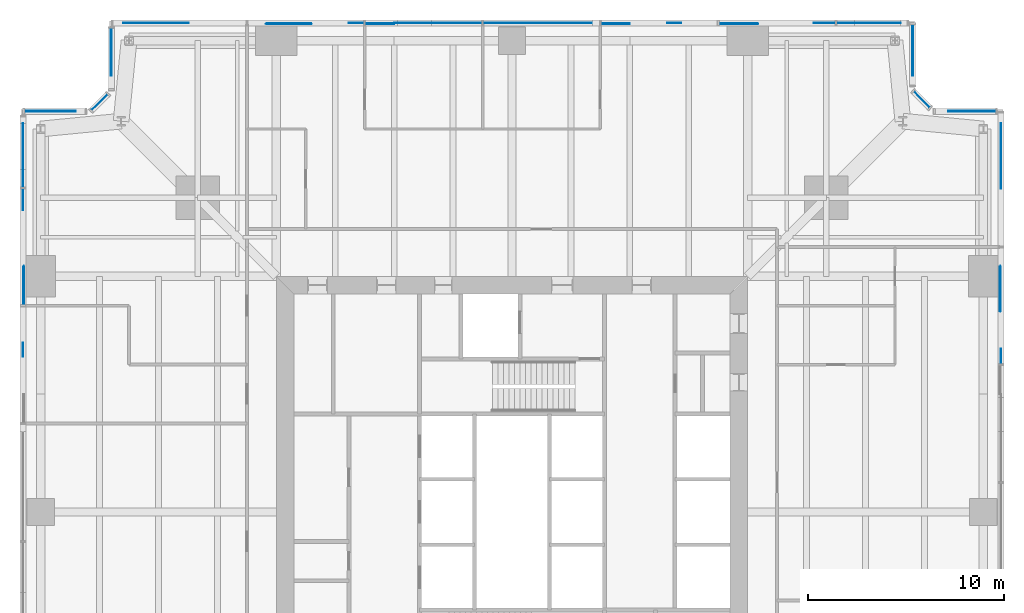
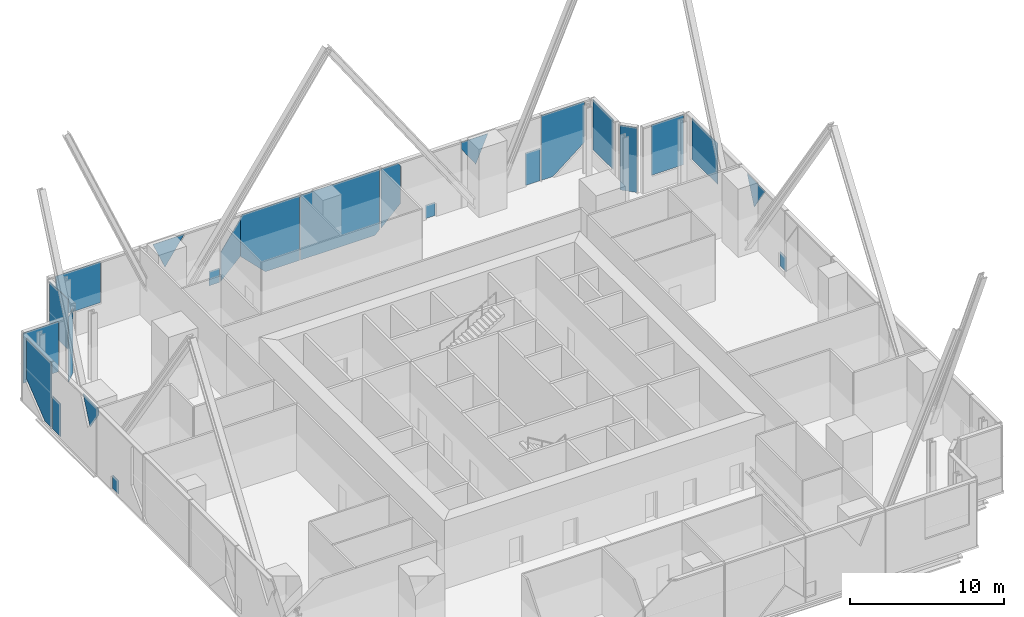
# One storey, part 8 of 13: 24 plates, 9 elements without a shape of their own.
"""IFC4 building model written with IfcOpenShell, lengths in metres."""

from ifc_helpers import new_model, si_unit, direction, frame, origin, origin_2d, place, context, subcontext, project, spatial, polyline, rectangle, outline, extrude, material, layer, layer_set, type_object, element, aggregate, save


model = new_model("IFC4")

# Units and contexts
model_context = context("Model", 3, precision=1e-05, world=origin(), true_north=direction((0.0, 1.0)))
body_context = subcontext(model_context, "Body", "Model", "MODEL_VIEW")
ifc_project = project(units=[si_unit("LENGTHUNIT", "METRE"), si_unit("AREAUNIT", "SQUARE_METRE"), si_unit("VOLUMEUNIT", "CUBIC_METRE"), si_unit("PLANEANGLEUNIT", "RADIAN"), si_unit("MASSUNIT", "GRAM", prefix="KILO")], contexts=[model_context])

# Site, building, storey
site_placement = place(None, origin())
site = spatial("IfcSite", under=ifc_project, at=site_placement, CompositionType="ELEMENT")
building_placement = place(site_placement, origin())
building = spatial("IfcBuilding", under=site, at=building_placement, Name="Fenwick Lantern Interchange", CompositionType="ELEMENT")
storey_placement = place(building_placement, frame((0.0, 0.0, 97.0)))
storey = spatial("IfcBuildingStorey", under=building, at=storey_placement, Name="L22", CompositionType="ELEMENT", Elevation=97.0)

# Curtain wall, plates
ifc_material_1 = material(Name="Aluminium curtain wall frame", Category="aluminium")
curtain_wall_type = type_object("IfcCurtainWallType", Name="SKY LOBBY GLAZING", PredefinedType="USERDEFINED", material=ifc_material_1)
curtain_wall_1_placement = place(storey_placement, origin())
curtain_wall_1 = element("IfcCurtainWall", 1, at=curtain_wall_1_placement, inside=storey, type_object=curtain_wall_type, Name="Sky lobby glazing 05", ObjectType="SKY LOBBY GLAZING", PredefinedType="USERDEFINED")
ifc_material_2 = material(Name="Vision glass, clear laminated double glazed", Category="glass")
ifc_layer = layer(ifc_material_2, 0.035888671875)
ifc_layer_set = layer_set([ifc_layer], Name="SKY LOBBY GLAZING PANEL 36")
plate_type = type_object("IfcPlateType", Name="SKY LOBBY GLAZING PANEL 36", PredefinedType="CURTAIN_PANEL", material=ifc_layer_set)
plate_1_placement = place(storey_placement, frame((49.89990234375, 4.60009765625, 0.35546875), z_axis=(0.0, 0.0, 1.0), x_axis=(0.0, 1.0, 0.0)))
plate_1 = element("IfcPlate", 2, at=plate_1_placement, type_object=plate_type, Name="L22/CW/05/P05a", PredefinedType="CURTAIN_PANEL", context=body_context, shape_type="SweptSolid", body=[
    extrude(outline(polyline([(27.93994140625, 0.0), (28.715087890625, 0.0), (28.715087890625, 1.136962890625), (27.93994140625, 1.136962890625), (27.93994140625, 0.0)])), frame((0.0, 0.01806640625, 0.0), z_axis=(0.0, -1.0, 0.0), x_axis=(1.0, 0.0, 0.0)), (0.0, 0.0, 1.0), 0.035888671875),
])
plate_2_placement = place(storey_placement, frame((49.89990234375, 4.60009765625, 3.017822265625), z_axis=(0.0, 0.0, 1.0), x_axis=(0.0, 1.0, 0.0)))
plate_2 = element("IfcPlate", 3, at=plate_2_placement, type_object=plate_type, Name="L22/CW/05/P05b", PredefinedType="CURTAIN_PANEL", context=body_context, shape_type="SweptSolid", body=[
    extrude(outline(polyline([(32.034423828125, 0.0), (32.940185546875, 2.112060546875), (30.585205078125, 2.112060546875), (32.034423828125, 0.0)])), frame((0.0, 0.05615234375, 0.0), z_axis=(0.0, -1.0, 0.0), x_axis=(1.0, 0.0, 0.0)), (0.0, 0.0, 1.0), 0.035888671875),
])
plate_3_placement = place(storey_placement, frame((49.89990234375, 4.60009765625, 1.880126953125), z_axis=(0.0, 0.0, 1.0), x_axis=(0.0, 1.0, 0.0)))
plate_3 = element("IfcPlate", 4, at=plate_3_placement, type_object=plate_type, Name="L22/CW/05/P06a", PredefinedType="CURTAIN_PANEL", context=body_context, shape_type="SweptSolid", body=[
    extrude(outline(polyline([(36.857421875, 0.0), (40.18115234375, 0.0), (40.18115234375, 3.249755859375), (36.857421875, 3.249755859375), (36.857421875, 0.0)])), frame((0.0, 0.01806640625, 0.0), z_axis=(0.0, -1.0, 0.0), x_axis=(1.0, 0.0, 0.0)), (0.0, 0.0, 1.0), 0.035888671875),
])
aggregate(curtain_wall_1, [plate_1, plate_2, plate_3])

# Curtain wall, plate
curtain_wall_2_placement = place(storey_placement, origin())
curtain_wall_2 = element("IfcCurtainWall", 5, at=curtain_wall_2_placement, inside=storey, type_object=curtain_wall_type, Name="Sky lobby glazing 06", ObjectType="SKY LOBBY GLAZING", PredefinedType="USERDEFINED")
plate_4_placement = place(storey_placement, frame((49.89990234375, 45.39990234375, 1.14990234375), z_axis=(0.0, 0.0, 1.0), x_axis=(-1.0, 0.0, 0.0)))
plate_4 = element("IfcPlate", 6, at=plate_4_placement, type_object=plate_type, Name="L22/CW/06/P00a", PredefinedType="CURTAIN_PANEL", context=body_context, shape_type="SweptSolid", body=[
    extrude(outline(polyline([(0.280029296875, 0.0), (2.699951171875, 0.0), (2.699951171875, 3.97998046875), (0.280029296875, 3.97998046875), (0.280029296875, 0.0)])), frame((0.0, 0.01806640625, 0.0), z_axis=(0.0, -1.0, 0.0), x_axis=(1.0, 0.0, 0.0)), (0.0, 0.0, 1.0), 0.035888671875),
])
aggregate(curtain_wall_2, [plate_4])

curtain_wall_3_placement = place(storey_placement, origin())
curtain_wall_3 = element("IfcCurtainWall", 7, at=curtain_wall_3_placement, inside=storey, type_object=curtain_wall_type, Name="Sky lobby glazing 07", ObjectType="SKY LOBBY GLAZING", PredefinedType="USERDEFINED")
plate_5_placement = place(storey_placement, frame((45.858642578125, 46.0, 0.0), z_axis=(0.0, 0.0, 1.0), x_axis=(-0.707106781187, 0.707106781187, 0.0)))
plate_5 = element("IfcPlate", 8, at=plate_5_placement, type_object=plate_type, Name="L22/CW/07/P00", PredefinedType="CURTAIN_PANEL", context=body_context, shape_type="SweptSolid", body=[
    extrude(rectangle(XDim=1.136962890625, YDim=0.035888671875, at=origin_2d()), origin(), (0.0, 0.0, 1.0), 5.1298828125),
])
aggregate(curtain_wall_3, [plate_5])

curtain_wall_4_placement = place(storey_placement, origin())
curtain_wall_4 = element("IfcCurtainWall", 9, at=curtain_wall_4_placement, inside=storey, type_object=curtain_wall_type, Name="Sky lobby glazing 08", ObjectType="SKY LOBBY GLAZING", PredefinedType="USERDEFINED")
plate_6_placement = place(storey_placement, frame((45.39990234375, 46.45849609375, 1.14990234375), z_axis=(0.0, 0.0, 1.0), x_axis=(0.0, 1.0, 0.0)))
plate_6 = element("IfcPlate", 10, at=plate_6_placement, type_object=plate_type, Name="L22/CW/08/P00a", PredefinedType="CURTAIN_PANEL", context=body_context, shape_type="SweptSolid", body=[
    extrude(outline(polyline([(0.741455078125, 0.0), (3.361328125, 0.0), (3.361328125, 3.97998046875), (0.741455078125, 3.97998046875), (0.741455078125, 0.0)])), frame((0.0, 0.01806640625, 0.0), z_axis=(0.0, -1.0, 0.0), x_axis=(1.0, 0.0, 0.0)), (0.0, 0.0, 1.0), 0.035888671875),
])
aggregate(curtain_wall_4, [plate_6])

# Curtain wall, plates
curtain_wall_5_placement = place(storey_placement, origin())
curtain_wall_5 = element("IfcCurtainWall", 11, at=curtain_wall_5_placement, inside=storey, type_object=curtain_wall_type, Name="Sky lobby glazing 09", ObjectType="SKY LOBBY GLAZING", PredefinedType="USERDEFINED")
plate_7_placement = place(storey_placement, frame((45.39990234375, 49.89990234375, 0.0), z_axis=(0.0, 0.0, 1.0), x_axis=(-1.0, 0.0, 0.0)))
plate_7 = element("IfcPlate", 12, at=plate_7_placement, type_object=plate_type, Name="L22/CW/09/P00a", PredefinedType="CURTAIN_PANEL", context=body_context, shape_type="SweptSolid", body=[
    extrude(outline(polyline([(2.968994140625, 0.0), (3.860107421875, 0.0), (3.860107421875, 5.1298828125), (0.618896484375, 5.1298828125), (0.618896484375, 1.880126953125), (2.968994140625, 0.0)])), frame((0.0, 0.01806640625, 0.0), z_axis=(0.0, -1.0, 0.0), x_axis=(1.0, 0.0, 0.0)), (0.0, 0.0, 1.0), 0.035888671875),
])
plate_8_placement = place(storey_placement, frame((45.39990234375, 49.89990234375, 0.0), z_axis=(0.0, 0.0, 1.0), x_axis=(-1.0, 0.0, 0.0)))
plate_8 = element("IfcPlate", 13, at=plate_8_placement, type_object=plate_type, Name="L22/CW/09/P01a", PredefinedType="CURTAIN_PANEL", context=body_context, shape_type="SweptSolid", body=[
    extrude(outline(polyline([(3.93994140625, 0.0), (5.0400390625, 0.0), (5.0400390625, 2.571533203125), (3.93994140625, 2.571533203125), (3.93994140625, 0.0)])), frame((0.0, 0.01806640625, 0.0), z_axis=(0.0, -1.0, 0.0), x_axis=(1.0, 0.0, 0.0)), (0.0, 0.0, 1.0), 0.035888671875),
])
plate_9_placement = place(storey_placement, frame((45.39990234375, 49.89990234375, 3.017822265625), z_axis=(0.0, 0.0, 1.0), x_axis=(-1.0, 0.0, 0.0)))
plate_9 = element("IfcPlate", 14, at=plate_9_placement, type_object=plate_type, Name="L22/CW/09/P01b", PredefinedType="CURTAIN_PANEL", context=body_context, shape_type="SweptSolid", body=[
    extrude(outline(polyline([(8.765625, 0.0), (9.860107421875, 1.594970703125), (9.860107421875, 2.112060546875), (7.85986328125, 2.112060546875), (8.765625, 0.0)])), frame((0.0, 0.05615234375, 0.0), z_axis=(0.0, -1.0, 0.0), x_axis=(1.0, 0.0, 0.0)), (0.0, 0.0, 1.0), 0.035888671875),
])
plate_10_placement = place(storey_placement, frame((45.39990234375, 49.89990234375, 0.0), z_axis=(0.0, 0.0, 1.0), x_axis=(-1.0, 0.0, 0.0)))
plate_10 = element("IfcPlate", 15, at=plate_10_placement, type_object=plate_type, Name="L22/CW/09/P02a", PredefinedType="CURTAIN_PANEL", context=body_context, shape_type="SweptSolid", body=[
    extrude(outline(polyline([(11.781005859375, 0.0), (12.5009765625, 0.0), (12.5009765625, 1.049560546875), (11.781005859375, 1.049560546875), (11.781005859375, 0.0)])), frame((0.0, 0.01806640625, 0.0), z_axis=(0.0, -1.0, 0.0), x_axis=(1.0, 0.0, 0.0)), (0.0, 0.0, 1.0), 0.035888671875),
])
plate_11_placement = place(storey_placement, frame((45.39990234375, 49.89990234375, 0.435546875), z_axis=(0.0, 0.0, 1.0), x_axis=(-1.0, 0.0, 0.0)))
plate_11 = element("IfcPlate", 16, at=plate_11_placement, type_object=plate_type, Name="L22/CW/09/P02b", PredefinedType="CURTAIN_PANEL", context=body_context, shape_type="SweptSolid", body=[
    extrude(outline(polyline([(15.860107421875, 0.0), (15.860107421875, 4.6943359375), (14.58056640625, 4.6943359375), (14.39990234375, 4.43115234375), (14.39990234375, 1.4599609375), (15.860107421875, 0.0)])), frame((0.0, 0.05615234375, 0.0), z_axis=(0.0, -1.0, 0.0), x_axis=(1.0, 0.0, 0.0)), (0.0, 0.0, 1.0), 0.035888671875),
])
plate_12_placement = place(storey_placement, frame((45.39990234375, 49.89990234375, 0.0), z_axis=(0.0, 0.0, 1.0), x_axis=(-1.0, 0.0, 0.0)))
plate_12 = element("IfcPlate", 17, at=plate_12_placement, type_object=plate_type, Name="L22/CW/09/P03a", PredefinedType="CURTAIN_PANEL", context=body_context, shape_type="SweptSolid", body=[
    extrude(outline(polyline([(16.295654296875, 0.0), (21.860107421875, 0.0), (21.860107421875, 5.1298828125), (15.93994140625, 5.1298828125), (15.93994140625, 0.35546875), (16.295654296875, 0.0)])), frame((0.0, 0.01806640625, 0.0), z_axis=(0.0, -1.0, 0.0), x_axis=(1.0, 0.0, 0.0)), (0.0, 0.0, 1.0), 0.035888671875),
])
plate_13_placement = place(storey_placement, frame((45.39990234375, 49.89990234375, 0.0), z_axis=(0.0, 0.0, 1.0), x_axis=(-1.0, 0.0, 0.0)))
plate_13 = element("IfcPlate", 18, at=plate_13_placement, type_object=plate_type, Name="L22/CW/09/P04a", PredefinedType="CURTAIN_PANEL", context=body_context, shape_type="SweptSolid", body=[
    extrude(outline(polyline([(21.93994140625, 0.0), (24.50439453125, 0.0), (26.39990234375, 1.8955078125), (26.39990234375, 4.86669921875), (26.219482421875, 5.1298828125), (21.93994140625, 5.1298828125), (21.93994140625, 0.0)])), frame((0.0, 0.01806640625, 0.0), z_axis=(0.0, -1.0, 0.0), x_axis=(1.0, 0.0, 0.0)), (0.0, 0.0, 1.0), 0.035888671875),
])
plate_14_placement = place(storey_placement, frame((45.39990234375, 49.89990234375, 0.435546875), z_axis=(0.0, 0.0, 1.0), x_axis=(-1.0, 0.0, 0.0)))
plate_14 = element("IfcPlate", 19, at=plate_14_placement, type_object=plate_type, Name="L22/CW/09/P04b", PredefinedType="CURTAIN_PANEL", context=body_context, shape_type="SweptSolid", body=[
    extrude(outline(polyline([(27.860107421875, 0.0), (27.860107421875, 2.30322265625), (26.39990234375, 4.43115234375), (26.39990234375, 1.4599609375), (27.860107421875, 0.0)])), frame((0.0, 0.05615234375, 0.0), z_axis=(0.0, -1.0, 0.0), x_axis=(1.0, 0.0, 0.0)), (0.0, 0.0, 1.0), 0.035888671875),
])
plate_15_placement = place(storey_placement, frame((45.39990234375, 49.89990234375, 0.35546875), z_axis=(0.0, 0.0, 1.0), x_axis=(-1.0, 0.0, 0.0)))
plate_15 = element("IfcPlate", 20, at=plate_15_placement, type_object=plate_type, Name="L22/CW/09/P05a", PredefinedType="CURTAIN_PANEL", context=body_context, shape_type="SweptSolid", body=[
    extrude(outline(polyline([(27.93994140625, 0.0), (28.715087890625, 0.0), (28.715087890625, 1.136962890625), (27.93994140625, 1.136962890625), (27.93994140625, 0.0)])), frame((0.0, 0.01806640625, 0.0), z_axis=(0.0, -1.0, 0.0), x_axis=(1.0, 0.0, 0.0)), (0.0, 0.0, 1.0), 0.035888671875),
])
plate_16_placement = place(storey_placement, frame((45.39990234375, 49.89990234375, 3.017822265625), z_axis=(0.0, 0.0, 1.0), x_axis=(-1.0, 0.0, 0.0)))
plate_16 = element("IfcPlate", 21, at=plate_16_placement, type_object=plate_type, Name="L22/CW/09/P05b", PredefinedType="CURTAIN_PANEL", context=body_context, shape_type="SweptSolid", body=[
    extrude(outline(polyline([(32.034423828125, 0.0), (32.940185546875, 2.112060546875), (30.585205078125, 2.112060546875), (32.034423828125, 0.0)])), frame((0.0, 0.05615234375, 0.0), z_axis=(0.0, -1.0, 0.0), x_axis=(1.0, 0.0, 0.0)), (0.0, 0.0, 1.0), 0.035888671875),
])
plate_17_placement = place(storey_placement, frame((45.39990234375, 49.89990234375, 1.880126953125), z_axis=(0.0, 0.0, 1.0), x_axis=(-1.0, 0.0, 0.0)))
plate_17 = element("IfcPlate", 22, at=plate_17_placement, type_object=plate_type, Name="L22/CW/09/P06a", PredefinedType="CURTAIN_PANEL", context=body_context, shape_type="SweptSolid", body=[
    extrude(outline(polyline([(36.857421875, 0.0), (40.18115234375, 0.0), (40.18115234375, 3.249755859375), (36.857421875, 3.249755859375), (36.857421875, 0.0)])), frame((0.0, 0.01806640625, 0.0), z_axis=(0.0, -1.0, 0.0), x_axis=(1.0, 0.0, 0.0)), (0.0, 0.0, 1.0), 0.035888671875),
])
aggregate(curtain_wall_5, [plate_7, plate_8, plate_9, plate_10, plate_11, plate_12, plate_13, plate_14, plate_15, plate_16, plate_17])

# Curtain wall, plate
curtain_wall_6_placement = place(storey_placement, origin())
curtain_wall_6 = element("IfcCurtainWall", 23, at=curtain_wall_6_placement, inside=storey, type_object=curtain_wall_type, Name="Sky lobby glazing 10", ObjectType="SKY LOBBY GLAZING", PredefinedType="USERDEFINED")
plate_18_placement = place(storey_placement, frame((4.60009765625, 49.89990234375, 1.14990234375), z_axis=(0.0, 0.0, 1.0), x_axis=(0.0, -1.0, 0.0)))
plate_18 = element("IfcPlate", 24, at=plate_18_placement, type_object=plate_type, Name="L22/CW/10/P00a", PredefinedType="CURTAIN_PANEL", context=body_context, shape_type="SweptSolid", body=[
    extrude(outline(polyline([(0.280029296875, 0.0), (2.699951171875, 0.0), (2.699951171875, 3.97998046875), (0.280029296875, 3.97998046875), (0.280029296875, 0.0)])), frame((0.0, 0.01806640625, 0.0), z_axis=(0.0, -1.0, 0.0), x_axis=(1.0, 0.0, 0.0)), (0.0, 0.0, 1.0), 0.035888671875),
])
aggregate(curtain_wall_6, [plate_18])

curtain_wall_7_placement = place(storey_placement, origin())
curtain_wall_7 = element("IfcCurtainWall", 25, at=curtain_wall_7_placement, inside=storey, type_object=curtain_wall_type, Name="Sky lobby glazing 11", ObjectType="SKY LOBBY GLAZING", PredefinedType="USERDEFINED")
plate_19_placement = place(storey_placement, frame((4.0, 45.858642578125, 0.0), z_axis=(0.0, 0.0, 1.0), x_axis=(-0.707106781187, -0.707106781187, 0.0)))
plate_19 = element("IfcPlate", 26, at=plate_19_placement, type_object=plate_type, Name="L22/CW/11/P00", PredefinedType="CURTAIN_PANEL", context=body_context, shape_type="SweptSolid", body=[
    extrude(rectangle(XDim=1.136962890625, YDim=0.035888671875, at=origin_2d()), origin(), (0.0, 0.0, 1.0), 5.1298828125),
])
aggregate(curtain_wall_7, [plate_19])

curtain_wall_8_placement = place(storey_placement, origin())
curtain_wall_8 = element("IfcCurtainWall", 27, at=curtain_wall_8_placement, inside=storey, type_object=curtain_wall_type, Name="Sky lobby glazing 12", ObjectType="SKY LOBBY GLAZING", PredefinedType="USERDEFINED")
plate_20_placement = place(storey_placement, frame((3.54150390625, 45.39990234375, 1.14990234375), z_axis=(0.0, 0.0, 1.0), x_axis=(-1.0, 0.0, 0.0)))
plate_20 = element("IfcPlate", 28, at=plate_20_placement, type_object=plate_type, Name="L22/CW/12/P00a", PredefinedType="CURTAIN_PANEL", context=body_context, shape_type="SweptSolid", body=[
    extrude(outline(polyline([(0.741455078125, 0.0), (3.361328125, 0.0), (3.361328125, 3.97998046875), (0.741455078125, 3.97998046875), (0.741455078125, 0.0)])), frame((0.0, 0.01806640625, 0.0), z_axis=(0.0, -1.0, 0.0), x_axis=(1.0, 0.0, 0.0)), (0.0, 0.0, 1.0), 0.035888671875),
])
aggregate(curtain_wall_8, [plate_20])

# Curtain wall, plates
curtain_wall_9_placement = place(storey_placement, origin())
curtain_wall_9 = element("IfcCurtainWall", 29, at=curtain_wall_9_placement, inside=storey, type_object=curtain_wall_type, Name="Sky lobby glazing 13", ObjectType="SKY LOBBY GLAZING", PredefinedType="USERDEFINED")
plate_21_placement = place(storey_placement, frame((0.10009765625, 45.39990234375, 0.0), z_axis=(0.0, 0.0, 1.0), x_axis=(0.0, -1.0, 0.0)))
plate_21 = element("IfcPlate", 30, at=plate_21_placement, type_object=plate_type, Name="L22/CW/13/P00a", PredefinedType="CURTAIN_PANEL", context=body_context, shape_type="SweptSolid", body=[
    extrude(outline(polyline([(2.968994140625, 0.0), (3.860107421875, 0.0), (3.860107421875, 5.1298828125), (0.618896484375, 5.1298828125), (0.618896484375, 1.880126953125), (2.968994140625, 0.0)])), frame((0.0, 0.01806640625, 0.0), z_axis=(0.0, -1.0, 0.0), x_axis=(1.0, 0.0, 0.0)), (0.0, 0.0, 1.0), 0.035888671875),
])
plate_22_placement = place(storey_placement, frame((0.10009765625, 45.39990234375, 0.0), z_axis=(0.0, 0.0, 1.0), x_axis=(0.0, -1.0, 0.0)))
plate_22 = element("IfcPlate", 31, at=plate_22_placement, type_object=plate_type, Name="L22/CW/13/P01a", PredefinedType="CURTAIN_PANEL", context=body_context, shape_type="SweptSolid", body=[
    extrude(outline(polyline([(3.93994140625, 0.0), (5.0400390625, 0.0), (5.0400390625, 2.571533203125), (3.93994140625, 2.571533203125), (3.93994140625, 0.0)])), frame((0.0, 0.01806640625, 0.0), z_axis=(0.0, -1.0, 0.0), x_axis=(1.0, 0.0, 0.0)), (0.0, 0.0, 1.0), 0.035888671875),
])
plate_23_placement = place(storey_placement, frame((0.10009765625, 45.39990234375, 3.017822265625), z_axis=(0.0, 0.0, 1.0), x_axis=(0.0, -1.0, 0.0)))
plate_23 = element("IfcPlate", 32, at=plate_23_placement, type_object=plate_type, Name="L22/CW/13/P01b", PredefinedType="CURTAIN_PANEL", context=body_context, shape_type="SweptSolid", body=[
    extrude(outline(polyline([(8.765625, 0.0), (9.860107421875, 1.594970703125), (9.860107421875, 2.112060546875), (7.85986328125, 2.112060546875), (8.765625, 0.0)])), frame((0.0, 0.05615234375, 0.0), z_axis=(0.0, -1.0, 0.0), x_axis=(1.0, 0.0, 0.0)), (0.0, 0.0, 1.0), 0.035888671875),
])
plate_24_placement = place(storey_placement, frame((0.10009765625, 45.39990234375, 0.0), z_axis=(0.0, 0.0, 1.0), x_axis=(0.0, -1.0, 0.0)))
plate_24 = element("IfcPlate", 33, at=plate_24_placement, type_object=plate_type, Name="L22/CW/13/P02a", PredefinedType="CURTAIN_PANEL", context=body_context, shape_type="SweptSolid", body=[
    extrude(outline(polyline([(11.781005859375, 0.0), (12.5009765625, 0.0), (12.5009765625, 1.049560546875), (11.781005859375, 1.049560546875), (11.781005859375, 0.0)])), frame((0.0, 0.01806640625, 0.0), z_axis=(0.0, -1.0, 0.0), x_axis=(1.0, 0.0, 0.0)), (0.0, 0.0, 1.0), 0.035888671875),
])
aggregate(curtain_wall_9, [plate_21, plate_22, plate_23, plate_24])

save(model, "model.ifc")
